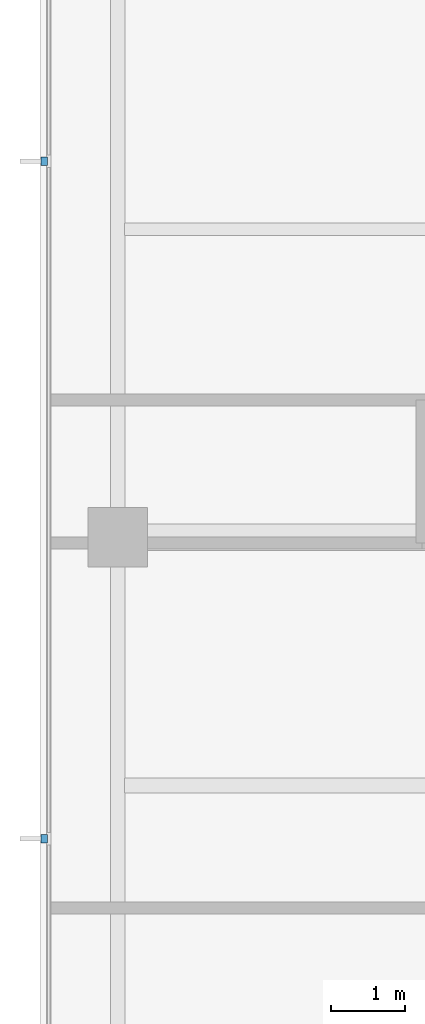
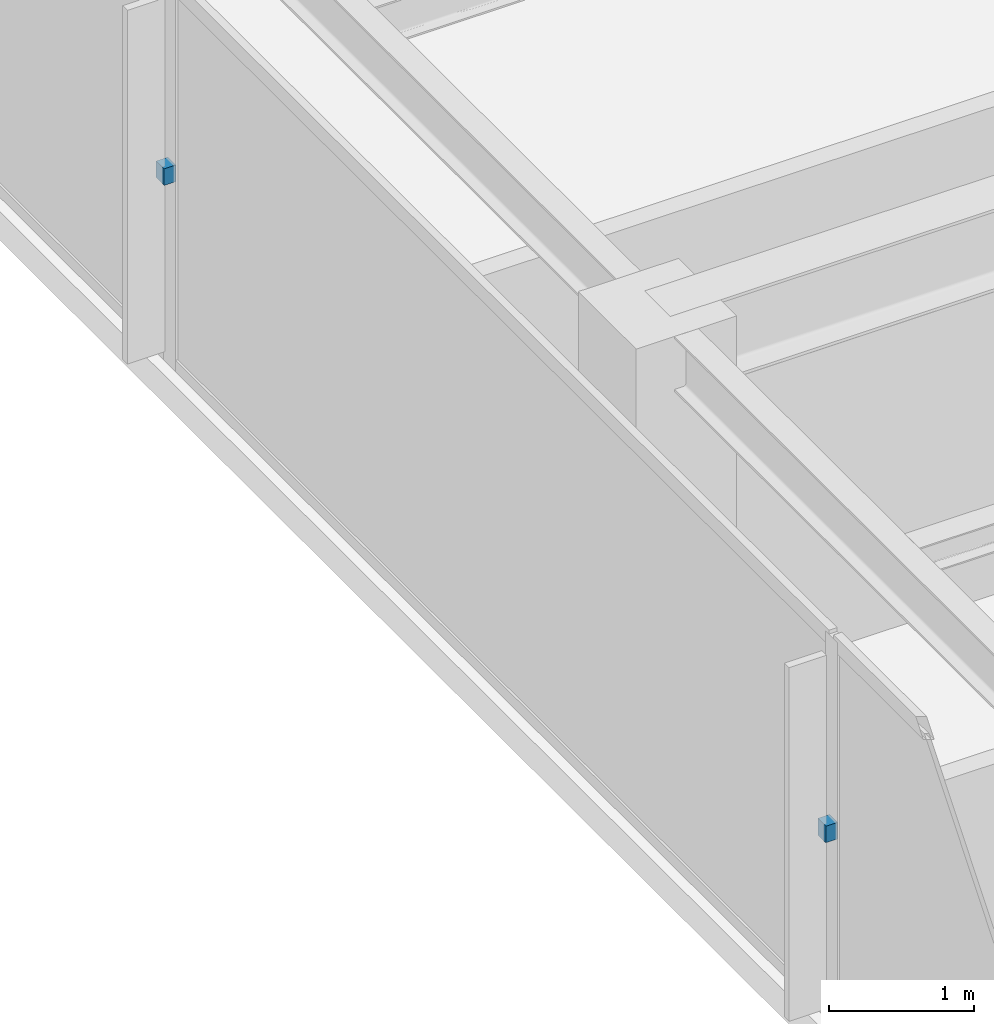
# One storey, part 10 of 12: 2 discrete accessories.
"""IFC4 building model written with IfcOpenShell, lengths in metres."""

from ifc_helpers import new_model, si_unit, direction, frame, origin, place, context, subcontext, project, spatial, polyline, outline, extrude, material, type_object, element, save


model = new_model("IFC4")

# Units and contexts
model_context = context("Model", 3, precision=1e-05, world=origin(), true_north=direction((0.0, 1.0)))
body_context = subcontext(model_context, "Body", "Model", "MODEL_VIEW")
ifc_project = project(units=[si_unit("LENGTHUNIT", "METRE"), si_unit("AREAUNIT", "SQUARE_METRE"), si_unit("VOLUMEUNIT", "CUBIC_METRE"), si_unit("PLANEANGLEUNIT", "RADIAN"), si_unit("MASSUNIT", "GRAM", prefix="KILO")], contexts=[model_context])

# Site, building, storey
site_placement = place(None, origin())
site = spatial("IfcSite", under=ifc_project, at=site_placement, CompositionType="ELEMENT")
building_placement = place(site_placement, origin())
building = spatial("IfcBuilding", under=site, at=building_placement, Name="Qalmaran Belvedere Hotel", CompositionType="ELEMENT")
storey_placement = place(building_placement, frame((0.0, 0.0, 252.89990234375)))
storey = spatial("IfcBuildingStorey", under=building, at=storey_placement, Name="L65", CompositionType="ELEMENT", Elevation=252.89990234375)

# Discrete accessories
ifc_material = material(Name="Stainless Steel 1.4401", Category="steel")
discrete_accessory_type = type_object("IfcDiscreteAccessoryType", Name="BRK-FIN-SS316", PredefinedType="BRACKET", material=ifc_material)
discrete_accessory_1_placement = place(storey_placement, frame((0.0, 0.0, 1.580078125)))
element("IfcDiscreteAccessory", 1, at=discrete_accessory_1_placement, inside=storey, type_object=discrete_accessory_type, Name="L65 Fin Bracket 1", PredefinedType="BRACKET", context=body_context, shape_type="SweptSolid", body=[
    extrude(outline(polyline([(11.455078125, 25.62158203125), (11.362548828125, 25.62158203125), (11.362548828125, 25.51171875), (11.455078125, 25.51171875), (11.455078125, 25.62158203125)])), origin(), (0.0, 0.0, 1.0), 0.14013671875),
])
discrete_accessory_2_placement = place(storey_placement, frame((0.0, 0.0, 1.580078125)))
element("IfcDiscreteAccessory", 2, at=discrete_accessory_2_placement, inside=storey, type_object=discrete_accessory_type, Name="L65 Fin Bracket 2", PredefinedType="BRACKET", context=body_context, shape_type="SweptSolid", body=[
    extrude(outline(polyline([(11.455078125, 16.48828125), (11.362548828125, 16.48828125), (11.362548828125, 16.37841796875), (11.455078125, 16.37841796875), (11.455078125, 16.48828125)])), origin(), (0.0, 0.0, 1.0), 0.14013671875),
])

save(model, "model.ifc")
